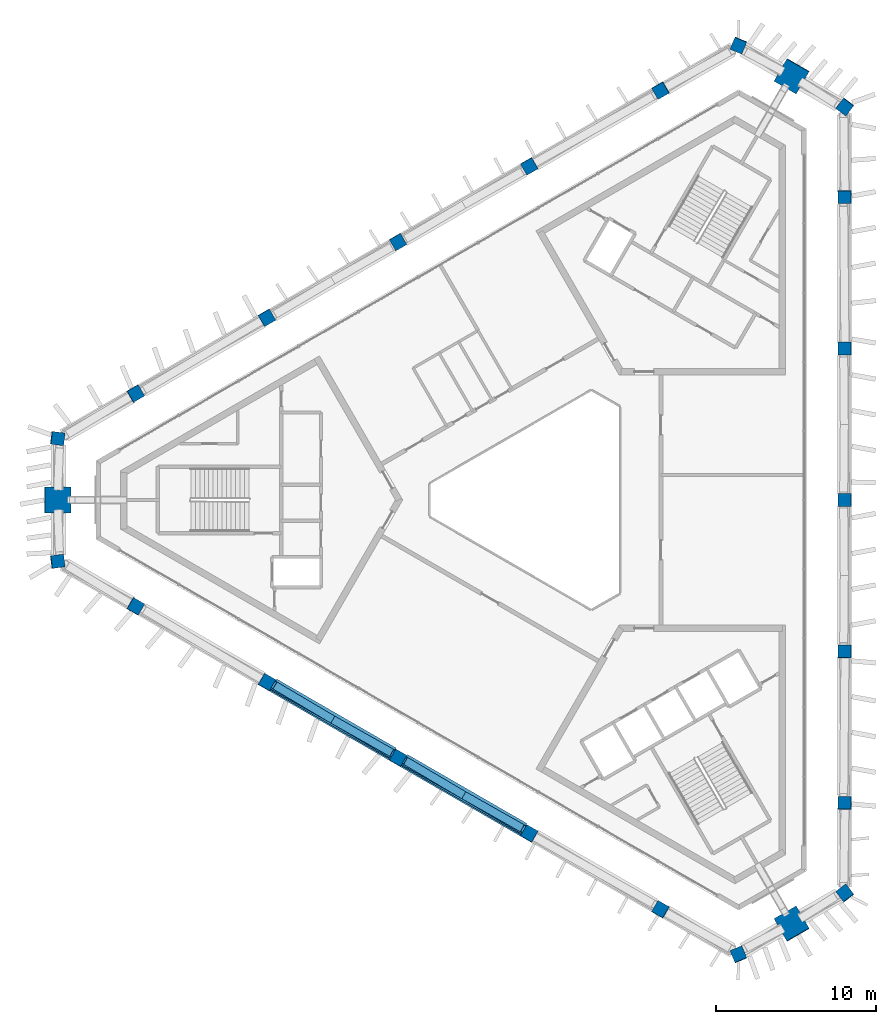
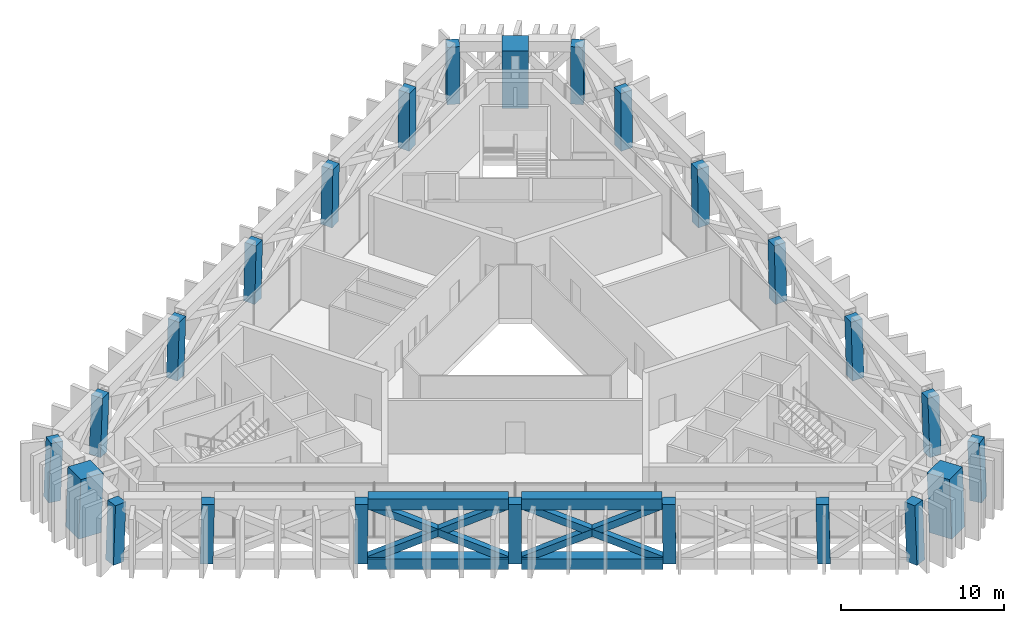
# One storey, part 1 of 12: 24 columns, 8 members.
"""IFC4 building model written with IfcOpenShell, lengths in metres."""

from ifc_helpers import new_model, si_unit, direction, frame, origin, origin_2d, place, context, subcontext, project, spatial, rectangle, hollow_rectangle, extrude, material, material_profile, profile_set, type_object, element, save


model = new_model("IFC4")

# Units and contexts
model_context = context("Model", 3, precision=1e-05, world=origin(), true_north=direction((0.0, 1.0)))
body_context = subcontext(model_context, "Body", "Model", "MODEL_VIEW")
ifc_project = project(units=[si_unit("LENGTHUNIT", "METRE"), si_unit("AREAUNIT", "SQUARE_METRE"), si_unit("VOLUMEUNIT", "CUBIC_METRE"), si_unit("PLANEANGLEUNIT", "RADIAN"), si_unit("MASSUNIT", "GRAM", prefix="KILO")], contexts=[model_context])

# Site, building, storey
site_placement = place(None, origin())
site = spatial("IfcSite", under=ifc_project, at=site_placement, CompositionType="ELEMENT")
building_placement = place(site_placement, origin())
building = spatial("IfcBuilding", under=site, at=building_placement, Name="Jabali Bay Hotel Tower and Convention Centre", CompositionType="ELEMENT")
storey_placement = place(building_placement, frame((0.0, 0.0, 300.39990234375)))
storey = spatial("IfcBuildingStorey", under=building, at=storey_placement, Name="L74", CompositionType="ELEMENT", Elevation=300.39990234375)

# Columns
ifc_material_1 = material(Name="Concrete C60", Category="concrete")
ifc_material_profile_1 = material_profile(ifc_material_1, rectangle(XDim=0.800048828125, YDim=0.800048828125, at=origin_2d()), Name="Frame column 800")
ifc_profile_set_1 = profile_set([ifc_material_profile_1], Name="Concrete C60")
column_type_1 = type_object("IfcColumnType", Name="Frame column 800", PredefinedType="COLUMN", material=ifc_profile_set_1)
column_1_placement = place(storey_placement, frame((82.083251953125, 105.556640625, 0.0), z_axis=(-0.00831910682, -0.028174041764, 0.999568414783), x_axis=(0.864858711939, 0.501561783468, 0.02133508255)))
element("IfcColumn", 1, at=column_1_placement, inside=storey, type_object=column_type_1, Name="FC6 F1.1 L74", PredefinedType="COLUMN", context=body_context, shape_type="SweptSolid", body=[
    extrude(rectangle(XDim=0.800048828125, YDim=0.800048828125, at=origin_2d()), origin(), (0.0, 0.0, 1.0), 4.402099609375),
])
column_2_placement = place(storey_placement, frame((73.89404296875, 100.828369140625, 0.0), z_axis=(0.000832053271, -0.022798259613, 0.999739739655), x_axis=(0.86659638002, 0.498895951732, 0.010655678326)))
element("IfcColumn", 2, at=column_2_placement, inside=storey, type_object=column_type_1, Name="FC6 F1.2 L74", PredefinedType="COLUMN", context=body_context, shape_type="SweptSolid", body=[
    extrude(rectangle(XDim=0.800048828125, YDim=0.800048828125, at=origin_2d()), origin(), (0.0, 0.0, 1.0), 4.4013671875),
])
column_3_placement = place(storey_placement, frame((65.70458984375, 96.10009765625, 0.0), z_axis=(0.010096151254, -0.017474107939, 0.999796340902), x_axis=(-0.500171963961, 0.865690897347, 0.020181098047)))
element("IfcColumn", 3, at=column_3_placement, inside=storey, type_object=column_type_1, Name="FC6 F1.3 L74", PredefinedType="COLUMN", context=body_context, shape_type="SweptSolid", body=[
    extrude(rectangle(XDim=0.800048828125, YDim=0.800048828125, at=origin_2d()), origin(), (0.0, 0.0, 1.0), 4.401123046875),
])
column_4_placement = place(storey_placement, frame((57.51513671875, 91.3720703125, 0.0), z_axis=(0.019303638282, -0.012147979264, 0.999739864239), x_axis=(-0.499384060329, 0.866145974081, 0.02016709878)))
element("IfcColumn", 4, at=column_4_placement, inside=storey, type_object=column_type_1, Name="FC6 F1.4 L74", PredefinedType="COLUMN", context=body_context, shape_type="SweptSolid", body=[
    extrude(rectangle(XDim=0.800048828125, YDim=0.800048828125, at=origin_2d()), origin(), (0.0, 0.0, 1.0), 4.4013671875),
])
for number, where, z_axis, x_axis, name in (
    (5, (49.32568359375, 86.643798828125, 0.0), (0.028562275974, -0.006821669796, 0.999568737613), (-0.499624269402, 0.866006977761, 0.020186725684), "FC6 F1.5 L74"),
    (6, (49.32568359375, 73.356201171875, 0.0), (0.028562275974, 0.006821669796, 0.999568737613), (-0.865771208701, 0.499985379077, 0.021326858506), "FC6 F2.1 L74"),
):
    element("IfcColumn", number, at=place(storey_placement, frame(where, z_axis=z_axis, x_axis=x_axis)), inside=storey, type_object=column_type_1, Name=name, PredefinedType="COLUMN", context=body_context, shape_type="SweptSolid", body=[
        extrude(rectangle(XDim=0.800048828125, YDim=0.800048828125, at=origin_2d()), origin(), (0.0, 0.0, 1.0), 4.402099609375),
    ])
column_5_placement = place(storey_placement, frame((57.51513671875, 68.6279296875, 0.0), z_axis=(0.019303638282, 0.012147979264, 0.999739864239), x_axis=(-0.866165648037, 0.499643451056, 0.010653261374)))
element("IfcColumn", 7, at=column_5_placement, inside=storey, type_object=column_type_1, Name="FC6 F2.2 L74", PredefinedType="COLUMN", context=body_context, shape_type="SweptSolid", body=[
    extrude(rectangle(XDim=0.800048828125, YDim=0.800048828125, at=origin_2d()), origin(), (0.0, 0.0, 1.0), 4.4013671875),
])
column_6_placement = place(storey_placement, frame((65.70458984375, 63.89990234375, 0.0), z_axis=(0.010096151254, 0.017474107939, 0.999796340902), x_axis=(-0.865867238205, 0.500273850809, 8.7352e-08)))
element("IfcColumn", 8, at=column_6_placement, inside=storey, type_object=column_type_1, Name="FC6 F2.3 L74", PredefinedType="COLUMN", context=body_context, shape_type="SweptSolid", body=[
    extrude(rectangle(XDim=0.800048828125, YDim=0.800048828125, at=origin_2d()), origin(), (0.0, 0.0, 1.0), 4.401123046875),
])
column_7_placement = place(storey_placement, frame((73.89404296875, 59.171630859375, 0.0), z_axis=(0.000832053271, 0.022798259613, 0.999739739655), x_axis=(-0.499009039821, -0.866361973256, 0.020171997259)))
element("IfcColumn", 9, at=column_7_placement, inside=storey, type_object=column_type_1, Name="FC6 F2.4 L74", PredefinedType="COLUMN", context=body_context, shape_type="SweptSolid", body=[
    extrude(rectangle(XDim=0.800048828125, YDim=0.800048828125, at=origin_2d()), origin(), (0.0, 0.0, 1.0), 4.4013671875),
])
for number, where, z_axis, x_axis, name in (
    (10, (82.083251953125, 54.443359375, 0.0), (-0.00831910682, 0.028174041764, 0.999568414783), (-0.501946412324, -0.864662940535, 0.020194019416), "FC6 F2.5 L74"),
    (11, (93.5908203125, 61.08740234375, 0.0), (-0.020132279963, 0.021296957316, 0.99957047321), (-0.000857754738, -0.99977310209, 0.02128399857), "FC6 F0.1 L74"),
):
    element("IfcColumn", number, at=place(storey_placement, frame(where, z_axis=z_axis, x_axis=x_axis)), inside=storey, type_object=column_type_1, Name=name, PredefinedType="COLUMN", context=body_context, shape_type="SweptSolid", body=[
        extrude(rectangle(XDim=0.800048828125, YDim=0.800048828125, at=origin_2d()), origin(), (0.0, 0.0, 1.0), 4.402099609375),
    ])
column_8_placement = place(storey_placement, frame((93.5908203125, 70.543701171875, 0.0), z_axis=(-0.020135705039, 0.010650290268, 0.999740528687), x_axis=(-0.000648432834, -0.999943189853, 0.010639389188)))
element("IfcColumn", 12, at=column_8_placement, inside=storey, type_object=column_type_1, Name="FC6 F0.2 L74", PredefinedType="COLUMN", context=body_context, shape_type="SweptSolid", body=[
    extrude(rectangle(XDim=0.800048828125, YDim=0.800048828125, at=origin_2d()), origin(), (0.0, 0.0, 1.0), 4.4013671875),
])
column_9_placement = place(storey_placement, frame((93.5908203125, 80.0, 0.0), z_axis=(-0.020136847119, 0.0, 0.999797233137), x_axis=(0.0, -1.0, 0.0)))
element("IfcColumn", 13, at=column_9_placement, inside=storey, type_object=column_type_1, Name="FC6 F0.3 L74", PredefinedType="COLUMN", context=body_context, shape_type="SweptSolid", body=[
    extrude(rectangle(XDim=0.800048828125, YDim=0.800048828125, at=origin_2d()), origin(), (0.0, 0.0, 1.0), 4.401123046875),
])
column_10_placement = place(storey_placement, frame((93.5908203125, 89.456298828125, 0.0), z_axis=(-0.020135705039, -0.010650290268, 0.999740528687), x_axis=(0.999797045864, 0.000434032982, 0.020141467124)))
element("IfcColumn", 14, at=column_10_placement, inside=storey, type_object=column_type_1, Name="FC6 F0.4 L74", PredefinedType="COLUMN", context=body_context, shape_type="SweptSolid", body=[
    extrude(rectangle(XDim=0.800048828125, YDim=0.800048828125, at=origin_2d()), origin(), (0.0, 0.0, 1.0), 4.4013671875),
])
column_11_placement = place(storey_placement, frame((93.5908203125, 98.91259765625, 0.0), z_axis=(-0.020132279963, -0.021296957316, 0.99957047321), x_axis=(0.999796957167, 0.000428890891, 0.020145979557)))
element("IfcColumn", 15, at=column_11_placement, inside=storey, type_object=column_type_1, Name="FC6 F0.5 L74", PredefinedType="COLUMN", context=body_context, shape_type="SweptSolid", body=[
    extrude(rectangle(XDim=0.800048828125, YDim=0.800048828125, at=origin_2d()), origin(), (0.0, 0.0, 1.0), 4.402099609375),
])
for number, where, z_axis, x_axis, name in (
    (16, (93.5908203125, 55.46240234375, 0.0), (-0.020128377566, 0.029000389717, 0.999376718667), (-0.797737645406, -0.603002986063, 0.001431049017), "FC6 V0 L74"),
    (17, (93.5908203125, 104.53759765625, 0.0), (-0.020128377566, -0.029000389717, 0.999376718667), (0.602668646537, 0.797211625727, 0.035272174385), "FC6 V1 L74"),
    (18, (86.95458984375, 108.368896484375, 0.0), (-0.015026972451, -0.031939247719, 0.999376843115), (0.92136069835, -0.38870607826, 0.001431173954), "FC6 V2 L74"),
    (19, (44.454345703125, 83.83154296875, 0.0), (0.035210752589, -0.00299430022, 0.999375423486), (-0.991527209638, 0.125008328787, 0.035308784768), "FC6 V3 L74"),
    (20, (44.454345703125, 76.16845703125, 0.0), (0.035210752589, 0.00299430022, 0.999375423486), (-0.125035976623, 0.992151173915, 0.001432707194), "FC6 V4 L74"),
    (21, (86.95458984375, 51.631103515625, 0.0), (-0.015026972451, 0.031939247719, 0.999376843115), (0.388418142772, -0.920808052299, 0.035268643112), "FC6 V5 L74"),
):
    element("IfcColumn", number, at=place(storey_placement, frame(where, z_axis=z_axis, x_axis=x_axis)), inside=storey, type_object=column_type_1, Name=name, PredefinedType="COLUMN", context=body_context, shape_type="SweptSolid", body=[
        extrude(rectangle(XDim=0.800048828125, YDim=0.800048828125, at=origin_2d()), origin(), (0.0, 0.0, 1.0), 4.40283203125),
    ])
ifc_material_2 = material(Name="Concrete C70", Category="concrete")
ifc_material_profile_2 = material_profile(ifc_material_2, rectangle(XDim=1.60009765625, YDim=1.60009765625, at=origin_2d()), Name="Mega column 1600")
ifc_profile_set_2 = profile_set([ifc_material_profile_2], Name="Concrete C70")
column_type_2 = type_object("IfcColumnType", Name="Mega column 1600", PredefinedType="COLUMN", material=ifc_profile_set_2)
for number, where, z_axis, x_axis, name in (
    (22, (90.272705078125, 106.453125, 0.0), (-0.017577766169, -0.030442251188, 0.99938195475), (0.866003644754, -0.500037685853, 1.36817e-07), "MC6 M1 L74"),
    (23, (44.454345703125, 80.0, 0.0), (0.035210910437, 0.0, 0.999379903633), (0.0, 1.0, 0.0), "MC6 M0 L74"),
    (24, (90.272705078125, 53.546875, 0.0), (-0.017577766169, 0.030442251188, 0.99938195475), (0.499728635771, -0.865468417719, 0.035152646001), "MC6 M2 L74"),
):
    element("IfcColumn", number, at=place(storey_placement, frame(where, z_axis=z_axis, x_axis=x_axis)), inside=storey, type_object=column_type_2, Name=name, PredefinedType="COLUMN", context=body_context, shape_type="SweptSolid", body=[
        extrude(rectangle(XDim=1.60009765625, YDim=1.60009765625, at=origin_2d()), origin(), (0.0, 0.0, 1.0), 4.40283203125),
    ])

# Members
ifc_material_3 = material(Name="Steel Q420GJC", Category="steel")
ifc_material_profile_3 = material_profile(ifc_material_3, hollow_rectangle(XDim=0.5, YDim=0.5, WallThickness=0.030029296875, at=origin_2d()), Name="Belt brace 500x500x30")
ifc_profile_set_3 = profile_set([ifc_material_profile_3], Name="Steel Q420GJC")
member_type_1 = type_object("IfcMemberType", Name="Belt brace 500x500x30", PredefinedType="BRACE", material=ifc_profile_set_3)
member_1_placement = place(storey_placement, frame((57.863525390625, 68.43115234375, 0.186279296875), z_axis=(0.789425781404, -0.445931465467, 0.421843648478), x_axis=(0.491835130566, 0.87068835087, 0.0)))
element("IfcMember", 25, at=member_1_placement, inside=storey, type_object=member_type_1, Name="Belt brace T6 F2.2-F2.3 x1", PredefinedType="BRACE", context=body_context, shape_type="SweptSolid", body=[
    extrude(hollow_rectangle(XDim=0.5, YDim=0.5, WallThickness=0.030029296875, at=origin_2d()), origin(), (0.0, 0.0, 1.0), 9.547607421875),
])
member_2_placement = place(storey_placement, frame((65.360107421875, 64.10302734375, 0.187255859375), z_axis=(-0.78019071297, 0.460321253939, 0.42356439247), x_axis=(-0.50815601337, -0.861265038229, 0.0)))
element("IfcMember", 26, at=member_2_placement, inside=storey, type_object=member_type_1, Name="Belt brace T6 F2.2-F2.3 x2", PredefinedType="BRACE", context=body_context, shape_type="SweptSolid", body=[
    extrude(hollow_rectangle(XDim=0.5, YDim=0.5, WallThickness=0.030029296875, at=origin_2d()), origin(), (0.0, 0.0, 1.0), 9.5048828125),
])
member_3_placement = place(storey_placement, frame((66.052734375, 63.703125, 0.187255859375), z_axis=(0.788746260354, -0.445501518858, 0.423565500806), x_axis=(0.491796551535, 0.870710142297, 0.0)))
element("IfcMember", 27, at=member_3_placement, inside=storey, type_object=member_type_1, Name="Belt brace T6 F2.3-F2.4 x1", PredefinedType="BRACE", context=body_context, shape_type="SweptSolid", body=[
    extrude(hollow_rectangle(XDim=0.5, YDim=0.5, WallThickness=0.030029296875, at=origin_2d()), origin(), (0.0, 0.0, 1.0), 9.504638671875),
])
member_4_placement = place(storey_placement, frame((73.549560546875, 59.375, 0.186279296875), z_axis=(-0.780918679653, 0.460675538069, 0.421834166936), x_axis=(-0.508094468676, -0.861301347323, 0.0)))
element("IfcMember", 28, at=member_4_placement, inside=storey, type_object=member_type_1, Name="Belt brace T6 F2.3-F2.4 x2", PredefinedType="BRACE", context=body_context, shape_type="SweptSolid", body=[
    extrude(hollow_rectangle(XDim=0.5, YDim=0.5, WallThickness=0.030029296875, at=origin_2d()), origin(), (0.0, 0.0, 1.0), 9.5478515625),
])
ifc_material_profile_4 = material_profile(ifc_material_3, hollow_rectangle(XDim=0.800048828125, YDim=0.800048828125, WallThickness=0.0400390625, at=origin_2d()), Name="Belt chord 800x800x40")
ifc_profile_set_4 = profile_set([ifc_material_profile_4], Name="Steel Q420GJC")
member_type_2 = type_object("IfcMemberType", Name="Belt chord 800x800x40", PredefinedType="CHORD", material=ifc_profile_set_4)
for number, where, z_axis, x_axis, name in (
    (29, (57.861572265625, 68.427978515625, 0.0), (0.866026837124, -0.499997517375, 0.0), (0.499997517375, 0.866026837124, 0.0), "Belt chord T6 F2.2-F2.3"),
    (30, (66.051025390625, 63.69970703125, 0.0), (0.866026837124, -0.499997517375, 0.0), (0.499997517375, 0.866026837124, 0.0), "Belt chord T6 F2.3-F2.4"),
):
    element("IfcMember", number, at=place(storey_placement, frame(where, z_axis=z_axis, x_axis=x_axis)), inside=storey, type_object=member_type_2, Name=name, PredefinedType="CHORD", context=body_context, shape_type="SweptSolid", body=[
        extrude(hollow_rectangle(XDim=0.800048828125, YDim=0.800048828125, WallThickness=0.0400390625, at=origin_2d()), origin(), (0.0, 0.0, 1.0), 8.65625),
    ])
for number, where, z_axis, x_axis, name in (
    (31, (57.946533203125, 68.4814453125, 4.400146484375), (0.866028807769, -0.499994104079, 0.0), (0.499994104079, 0.866028807769, 0.0), "Belt chord T6 F2.2-F2.3"),
    (32, (66.095458984375, 63.776611328125, 4.400146484375), (0.866021718376, -0.500006383261, 0.0), (0.500006383261, 0.866021718376, 0.0), "Belt chord T6 F2.3-F2.4"),
):
    element("IfcMember", number, at=place(storey_placement, frame(where, z_axis=z_axis, x_axis=x_axis)), inside=storey, type_object=member_type_2, Name=name, PredefinedType="CHORD", context=body_context, shape_type="SweptSolid", body=[
        extrude(hollow_rectangle(XDim=0.800048828125, YDim=0.800048828125, WallThickness=0.0400390625, at=origin_2d()), origin(), (0.0, 0.0, 1.0), 8.609375),
    ])

save(model, "model.ifc")
